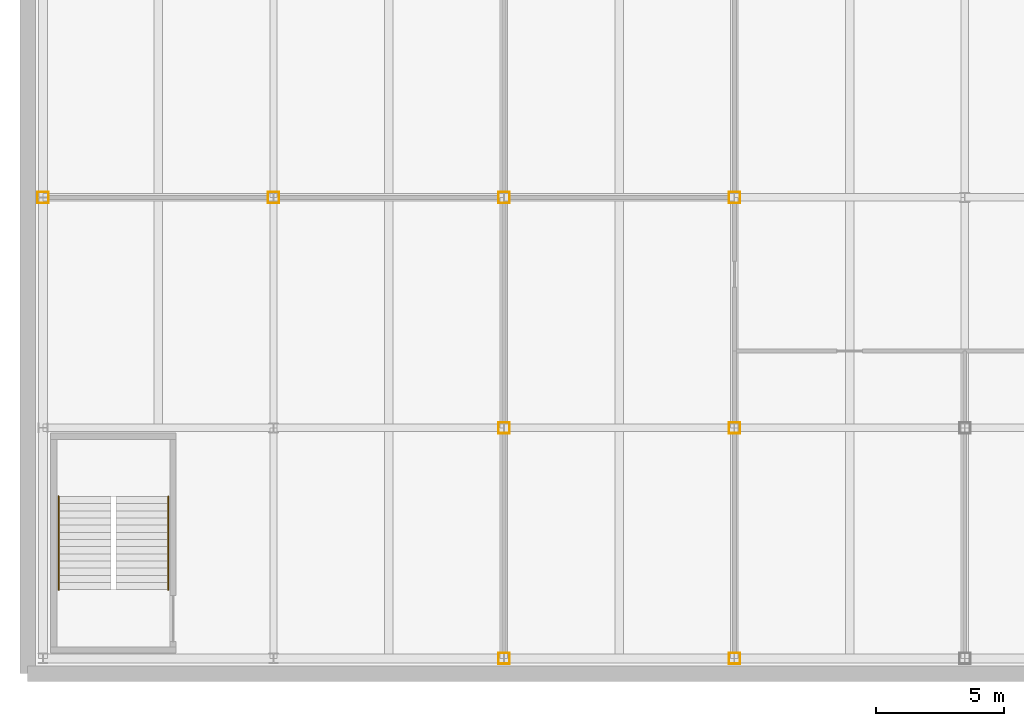
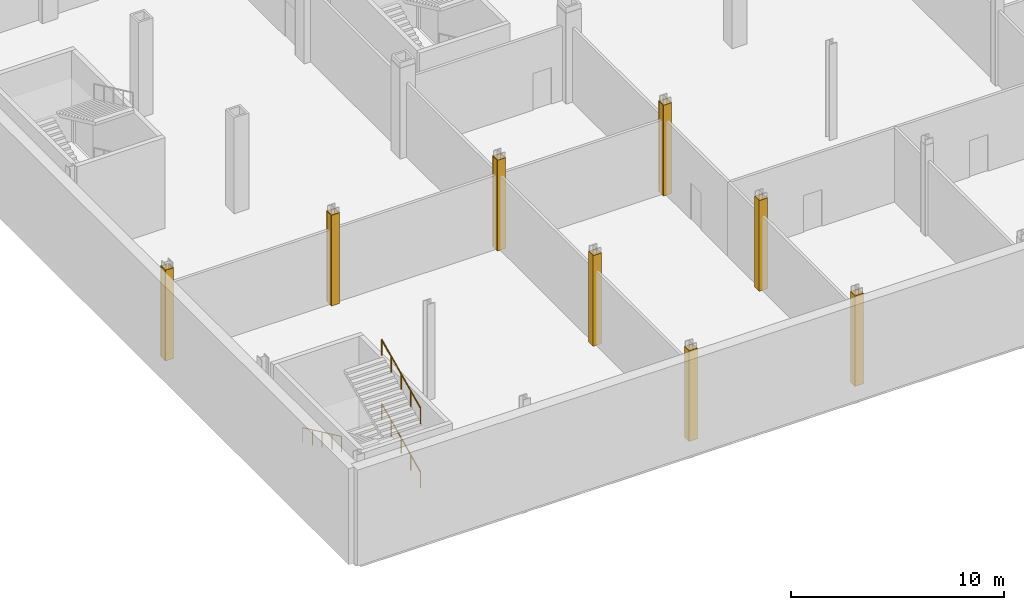
# One storey, part 15 of 27: 32 coverings, 3 railings.
"""IFC4 building model written with IfcOpenShell, lengths in metres."""

from ifc_helpers import new_model, si_unit, direction, frame, origin, origin_2d, place, context, subcontext, project, spatial, rectangle, circle, extrude, material, layer, layer_set, type_object, element, save


model = new_model("IFC4")

# Units and contexts
model_context = context("Model", 3, precision=1e-05, world=origin(), true_north=direction((0.0, 1.0)))
body_context = subcontext(model_context, "Body", "Model", "MODEL_VIEW")
ifc_project = project(units=[si_unit("LENGTHUNIT", "METRE"), si_unit("AREAUNIT", "SQUARE_METRE"), si_unit("VOLUMEUNIT", "CUBIC_METRE"), si_unit("PLANEANGLEUNIT", "RADIAN"), si_unit("MASSUNIT", "GRAM", prefix="KILO")], contexts=[model_context])

# Site, building, storey
site_placement = place(None, origin())
site = spatial("IfcSite", under=ifc_project, at=site_placement, CompositionType="ELEMENT")
building_placement = place(site_placement, origin())
building = spatial("IfcBuilding", under=site, at=building_placement, Name="Loomwork Tower", CompositionType="ELEMENT")
storey_placement = place(building_placement, frame((0.0, 0.0, -5.5)))
storey = spatial("IfcBuildingStorey", under=building, at=storey_placement, Name="B1", CompositionType="ELEMENT", Elevation=-5.5)

# Coverings
ifc_material_1 = material(Name="Two-hour fire-rated gypsum board casing")
ifc_layer = layer(ifc_material_1, 0.02490234375)
ifc_layer_set = layer_set([ifc_layer], Name="Column fire casing 25")
covering_type = type_object("IfcCoveringType", Name="Column fire casing 25", PredefinedType="CLADDING", material=ifc_layer_set)
for number, where, z_axis, x_axis, name in (
    (1, (-9.0, -8.786865234375, 0.0), (0.0, 0.0, 1.0), (1.0, 0.0, 0.0), "Column casing -9 -9 B1"),
    (2, (-9.0, -9.213134765625, 0.0), (0.0, 0.0, 1.0), (1.0, 0.0, 0.0), "Column casing -9 -9 B1"),
):
    element("IfcCovering", number, at=place(storey_placement, frame(where, z_axis=z_axis, x_axis=x_axis)), inside=storey, type_object=covering_type, Name=name, PredefinedType="CLADDING", context=body_context, shape_type="SweptSolid", body=[
        extrude(rectangle(XDim=0.44873046875, YDim=0.02490234375, at=origin_2d()), origin(), (0.0, 0.0, 1.0), 5.199951171875),
    ])
for number, where, z_axis, x_axis, name in (
    (3, (-8.7880859375, -9.0, 0.0), (0.0, 0.0, 1.0), (1.0, 0.0, 0.0), "Column casing -9 -9 B1"),
    (4, (-9.2119140625, -9.0, 0.0), (0.0, 0.0, 1.0), (1.0, 0.0, 0.0), "Column casing -9 -9 B1"),
):
    element("IfcCovering", number, at=place(storey_placement, frame(where, z_axis=z_axis, x_axis=x_axis)), inside=storey, type_object=covering_type, Name=name, PredefinedType="CLADDING", context=body_context, shape_type="SweptSolid", body=[
        extrude(rectangle(XDim=0.02490234375, YDim=0.4013671875, at=origin_2d()), origin(), (0.0, 0.0, 1.0), 5.199951171875),
    ])
for number, where, z_axis, x_axis, name in (
    (5, (0.0, -8.7880859375, 0.0), (0.0, 0.0, 1.0), (1.0, 0.0, 0.0), "Column casing 0 -9 B1"),
    (6, (0.0, -9.2119140625, 0.0), (0.0, 0.0, 1.0), (1.0, 0.0, 0.0), "Column casing 0 -9 B1"),
):
    element("IfcCovering", number, at=place(storey_placement, frame(where, z_axis=z_axis, x_axis=x_axis)), inside=storey, type_object=covering_type, Name=name, PredefinedType="CLADDING", context=body_context, shape_type="SweptSolid", body=[
        extrude(rectangle(XDim=0.451416015625, YDim=0.02490234375, at=origin_2d()), origin(), (0.0, 0.0, 1.0), 5.199951171875),
    ])
for number, where, z_axis, x_axis, name in (
    (7, (0.213134765625, -9.0, 0.0), (0.0, 0.0, 1.0), (1.0, 0.0, 0.0), "Column casing 0 -9 B1"),
    (8, (-0.213134765625, -9.0, 0.0), (0.0, 0.0, 1.0), (1.0, 0.0, 0.0), "Column casing 0 -9 B1"),
):
    element("IfcCovering", number, at=place(storey_placement, frame(where, z_axis=z_axis, x_axis=x_axis)), inside=storey, type_object=covering_type, Name=name, PredefinedType="CLADDING", context=body_context, shape_type="SweptSolid", body=[
        extrude(rectangle(XDim=0.02490234375, YDim=0.398681640625, at=origin_2d()), origin(), (0.0, 0.0, 1.0), 5.199951171875),
    ])
for number, where, z_axis, x_axis, name in (
    (9, (9.0, -26.7880859375, 0.0), (0.0, 0.0, 1.0), (1.0, 0.0, 0.0), "Column casing 9 -27 B1"),
    (10, (9.0, -27.2119140625, 0.0), (0.0, 0.0, 1.0), (1.0, 0.0, 0.0), "Column casing 9 -27 B1"),
):
    element("IfcCovering", number, at=place(storey_placement, frame(where, z_axis=z_axis, x_axis=x_axis)), inside=storey, type_object=covering_type, Name=name, PredefinedType="CLADDING", context=body_context, shape_type="SweptSolid", body=[
        extrude(rectangle(XDim=0.451416015625, YDim=0.02490234375, at=origin_2d()), origin(), (0.0, 0.0, 1.0), 5.199951171875),
    ])
for number, where, z_axis, x_axis, name in (
    (11, (9.213134765625, -27.0, 0.0), (0.0, 0.0, 1.0), (1.0, 0.0, 0.0), "Column casing 9 -27 B1"),
    (12, (8.786865234375, -27.0, 0.0), (0.0, 0.0, 1.0), (1.0, 0.0, 0.0), "Column casing 9 -27 B1"),
):
    element("IfcCovering", number, at=place(storey_placement, frame(where, z_axis=z_axis, x_axis=x_axis)), inside=storey, type_object=covering_type, Name=name, PredefinedType="CLADDING", context=body_context, shape_type="SweptSolid", body=[
        extrude(rectangle(XDim=0.02490234375, YDim=0.398681640625, at=origin_2d()), origin(), (0.0, 0.0, 1.0), 5.199951171875),
    ])
for number, where, z_axis, x_axis, name in (
    (13, (9.0, -17.7880859375, 0.0), (0.0, 0.0, 1.0), (1.0, 0.0, 0.0), "Column casing 9 -18 B1"),
    (14, (9.0, -18.2119140625, 0.0), (0.0, 0.0, 1.0), (1.0, 0.0, 0.0), "Column casing 9 -18 B1"),
):
    element("IfcCovering", number, at=place(storey_placement, frame(where, z_axis=z_axis, x_axis=x_axis)), inside=storey, type_object=covering_type, Name=name, PredefinedType="CLADDING", context=body_context, shape_type="SweptSolid", body=[
        extrude(rectangle(XDim=0.451416015625, YDim=0.02490234375, at=origin_2d()), origin(), (0.0, 0.0, 1.0), 5.199951171875),
    ])
for number, where, z_axis, x_axis, name in (
    (15, (9.213134765625, -18.0, 0.0), (0.0, 0.0, 1.0), (1.0, 0.0, 0.0), "Column casing 9 -18 B1"),
    (16, (8.786865234375, -18.0, 0.0), (0.0, 0.0, 1.0), (1.0, 0.0, 0.0), "Column casing 9 -18 B1"),
):
    element("IfcCovering", number, at=place(storey_placement, frame(where, z_axis=z_axis, x_axis=x_axis)), inside=storey, type_object=covering_type, Name=name, PredefinedType="CLADDING", context=body_context, shape_type="SweptSolid", body=[
        extrude(rectangle(XDim=0.02490234375, YDim=0.398681640625, at=origin_2d()), origin(), (0.0, 0.0, 1.0), 5.199951171875),
    ])
for number, where, z_axis, x_axis, name in (
    (17, (9.0, -8.7880859375, 0.0), (0.0, 0.0, 1.0), (1.0, 0.0, 0.0), "Column casing 9 -9 B1"),
    (18, (9.0, -9.2119140625, 0.0), (0.0, 0.0, 1.0), (1.0, 0.0, 0.0), "Column casing 9 -9 B1"),
):
    element("IfcCovering", number, at=place(storey_placement, frame(where, z_axis=z_axis, x_axis=x_axis)), inside=storey, type_object=covering_type, Name=name, PredefinedType="CLADDING", context=body_context, shape_type="SweptSolid", body=[
        extrude(rectangle(XDim=0.451416015625, YDim=0.02490234375, at=origin_2d()), origin(), (0.0, 0.0, 1.0), 5.199951171875),
    ])
for number, where, z_axis, x_axis, name in (
    (19, (9.213134765625, -9.0, 0.0), (0.0, 0.0, 1.0), (1.0, 0.0, 0.0), "Column casing 9 -9 B1"),
    (20, (8.786865234375, -9.0, 0.0), (0.0, 0.0, 1.0), (1.0, 0.0, 0.0), "Column casing 9 -9 B1"),
):
    element("IfcCovering", number, at=place(storey_placement, frame(where, z_axis=z_axis, x_axis=x_axis)), inside=storey, type_object=covering_type, Name=name, PredefinedType="CLADDING", context=body_context, shape_type="SweptSolid", body=[
        extrude(rectangle(XDim=0.02490234375, YDim=0.398681640625, at=origin_2d()), origin(), (0.0, 0.0, 1.0), 5.199951171875),
    ])
for number, where, z_axis, x_axis, name in (
    (21, (18.0, -26.7880859375, 0.0), (0.0, 0.0, 1.0), (1.0, 0.0, 0.0), "Column casing 18 -27 B1"),
    (22, (18.0, -27.2119140625, 0.0), (0.0, 0.0, 1.0), (1.0, 0.0, 0.0), "Column casing 18 -27 B1"),
):
    element("IfcCovering", number, at=place(storey_placement, frame(where, z_axis=z_axis, x_axis=x_axis)), inside=storey, type_object=covering_type, Name=name, PredefinedType="CLADDING", context=body_context, shape_type="SweptSolid", body=[
        extrude(rectangle(XDim=0.451416015625, YDim=0.02490234375, at=origin_2d()), origin(), (0.0, 0.0, 1.0), 5.199951171875),
    ])
for number, where, z_axis, x_axis, name in (
    (23, (18.213134765625, -27.0, 0.0), (0.0, 0.0, 1.0), (1.0, 0.0, 0.0), "Column casing 18 -27 B1"),
    (24, (17.786865234375, -27.0, 0.0), (0.0, 0.0, 1.0), (1.0, 0.0, 0.0), "Column casing 18 -27 B1"),
):
    element("IfcCovering", number, at=place(storey_placement, frame(where, z_axis=z_axis, x_axis=x_axis)), inside=storey, type_object=covering_type, Name=name, PredefinedType="CLADDING", context=body_context, shape_type="SweptSolid", body=[
        extrude(rectangle(XDim=0.02490234375, YDim=0.398681640625, at=origin_2d()), origin(), (0.0, 0.0, 1.0), 5.199951171875),
    ])
for number, where, z_axis, x_axis, name in (
    (25, (18.0, -17.7880859375, 0.0), (0.0, 0.0, 1.0), (1.0, 0.0, 0.0), "Column casing 18 -18 B1"),
    (26, (18.0, -18.2119140625, 0.0), (0.0, 0.0, 1.0), (1.0, 0.0, 0.0), "Column casing 18 -18 B1"),
):
    element("IfcCovering", number, at=place(storey_placement, frame(where, z_axis=z_axis, x_axis=x_axis)), inside=storey, type_object=covering_type, Name=name, PredefinedType="CLADDING", context=body_context, shape_type="SweptSolid", body=[
        extrude(rectangle(XDim=0.451416015625, YDim=0.02490234375, at=origin_2d()), origin(), (0.0, 0.0, 1.0), 5.199951171875),
    ])
for number, where, z_axis, x_axis, name in (
    (27, (18.213134765625, -18.0, 0.0), (0.0, 0.0, 1.0), (1.0, 0.0, 0.0), "Column casing 18 -18 B1"),
    (28, (17.786865234375, -18.0, 0.0), (0.0, 0.0, 1.0), (1.0, 0.0, 0.0), "Column casing 18 -18 B1"),
):
    element("IfcCovering", number, at=place(storey_placement, frame(where, z_axis=z_axis, x_axis=x_axis)), inside=storey, type_object=covering_type, Name=name, PredefinedType="CLADDING", context=body_context, shape_type="SweptSolid", body=[
        extrude(rectangle(XDim=0.02490234375, YDim=0.398681640625, at=origin_2d()), origin(), (0.0, 0.0, 1.0), 5.199951171875),
    ])
for number, where, z_axis, x_axis, name in (
    (29, (18.0, -8.7880859375, 0.0), (0.0, 0.0, 1.0), (1.0, 0.0, 0.0), "Column casing 18 -9 B1"),
    (30, (18.0, -9.2119140625, 0.0), (0.0, 0.0, 1.0), (1.0, 0.0, 0.0), "Column casing 18 -9 B1"),
):
    element("IfcCovering", number, at=place(storey_placement, frame(where, z_axis=z_axis, x_axis=x_axis)), inside=storey, type_object=covering_type, Name=name, PredefinedType="CLADDING", context=body_context, shape_type="SweptSolid", body=[
        extrude(rectangle(XDim=0.451416015625, YDim=0.02490234375, at=origin_2d()), origin(), (0.0, 0.0, 1.0), 5.199951171875),
    ])
for number, where, z_axis, x_axis, name in (
    (31, (18.213134765625, -9.0, 0.0), (0.0, 0.0, 1.0), (1.0, 0.0, 0.0), "Column casing 18 -9 B1"),
    (32, (17.786865234375, -9.0, 0.0), (0.0, 0.0, 1.0), (1.0, 0.0, 0.0), "Column casing 18 -9 B1"),
):
    element("IfcCovering", number, at=place(storey_placement, frame(where, z_axis=z_axis, x_axis=x_axis)), inside=storey, type_object=covering_type, Name=name, PredefinedType="CLADDING", context=body_context, shape_type="SweptSolid", body=[
        extrude(rectangle(XDim=0.02490234375, YDim=0.398681640625, at=origin_2d()), origin(), (0.0, 0.0, 1.0), 5.199951171875),
    ])

# Railings
ifc_material_2 = material(Name="Stainless steel handrail", Category="steel")
railing_type = type_object("IfcRailingType", Name="Handrail 900", PredefinedType="HANDRAIL", material=ifc_material_2)
railing_1_placement = place(storey_placement, frame((-4.110107421875, -24.320068359375, 0.131103515625)))
element("IfcRailing", 33, at=railing_1_placement, inside=storey, type_object=railing_type, Name="Podium stair PS1 handrail flight 1 B1", PredefinedType="HANDRAIL", context=body_context, shape_type="SweptSolid", body=[
    extrude(circle(Radius=0.02392578125, at=origin_2d()), frame((0.0, 0.0, 0.8759765625), z_axis=(0.0, 0.905856922506, 0.423583800383), x_axis=(-1.0, 0.0, 0.0)), (0.0, 0.0, 1.0), 4.0185546875),
    extrude(circle(Radius=0.02099609375, at=origin_2d()), origin(), (0.0, 0.0, 1.0), 0.851806640625),
    extrude(circle(Radius=0.02099609375, at=origin_2d()), frame((0.0, 0.91015625, 0.425537109375)), (0.0, 0.0, 1.0), 0.851806640625),
    extrude(circle(Radius=0.02099609375, at=origin_2d()), frame((0.0, 1.820068359375, 0.85107421875)), (0.0, 0.0, 1.0), 0.851806640625),
    extrude(circle(Radius=0.02099609375, at=origin_2d()), frame((0.0, 2.72998046875, 1.276611328125)), (0.0, 0.0, 1.0), 0.851806640625),
    extrude(circle(Radius=0.02099609375, at=origin_2d()), frame((0.0, 3.64013671875, 1.7021484375)), (0.0, 0.0, 1.0), 0.851806640625),
])
railing_2_placement = place(storey_placement, frame((-8.389892578125, -20.679931640625, 1.96435546875)))
element("IfcRailing", 34, at=railing_2_placement, inside=storey, type_object=railing_type, Name="Podium stair PS1 handrail flight 2 B1", PredefinedType="HANDRAIL", context=body_context, shape_type="SweptSolid", body=[
    extrude(circle(Radius=0.02392578125, at=origin_2d()), frame((0.0, 0.0, 0.8759765625), z_axis=(0.0, -0.905856922506, 0.423583800383), x_axis=(1.0, 0.0, 0.0)), (0.0, 0.0, 1.0), 4.0185546875),
    extrude(circle(Radius=0.02099609375, at=origin_2d()), origin(), (0.0, 0.0, 1.0), 0.851806640625),
    extrude(circle(Radius=0.02099609375, at=origin_2d()), frame((0.0, -0.91015625, 0.425537109375)), (0.0, 0.0, 1.0), 0.851806640625),
    extrude(circle(Radius=0.02099609375, at=origin_2d()), frame((0.0, -1.820068359375, 0.85107421875)), (0.0, 0.0, 1.0), 0.851806640625),
    extrude(circle(Radius=0.02099609375, at=origin_2d()), frame((0.0, -2.72998046875, 1.276611328125)), (0.0, 0.0, 1.0), 0.851806640625),
    extrude(circle(Radius=0.02099609375, at=origin_2d()), frame((0.0, -3.64013671875, 1.7021484375)), (0.0, 0.0, 1.0), 0.851806640625),
])
railing_3_placement = place(storey_placement, frame((-4.110107421875, -24.320068359375, 3.797607421875)))
element("IfcRailing", 35, at=railing_3_placement, inside=storey, type_object=railing_type, Name="Podium stair PS1 handrail flight 3 B1", PredefinedType="HANDRAIL", context=body_context, shape_type="SweptSolid", body=[
    extrude(circle(Radius=0.02392578125, at=origin_2d()), frame((0.0, 0.0, 0.8759765625), z_axis=(0.0, 0.905833609661, 0.423633652593), x_axis=(-1.0, 0.0, 0.0)), (0.0, 0.0, 1.0), 4.0185546875),
    extrude(circle(Radius=0.02099609375, at=origin_2d()), origin(), (0.0, 0.0, 1.0), 0.851806640625),
    extrude(circle(Radius=0.02099609375, at=origin_2d()), frame((0.0, 0.91015625, 0.425537109375)), (0.0, 0.0, 1.0), 0.851806640625),
    extrude(circle(Radius=0.02099609375, at=origin_2d()), frame((0.0, 1.820068359375, 0.85107421875)), (0.0, 0.0, 1.0), 0.851806640625),
    extrude(circle(Radius=0.02099609375, at=origin_2d()), frame((0.0, 2.72998046875, 1.27685546875)), (0.0, 0.0, 1.0), 0.851806640625),
    extrude(circle(Radius=0.02099609375, at=origin_2d()), frame((0.0, 3.64013671875, 1.702392578125)), (0.0, 0.0, 1.0), 0.851806640625),
])

save(model, "model.ifc")
